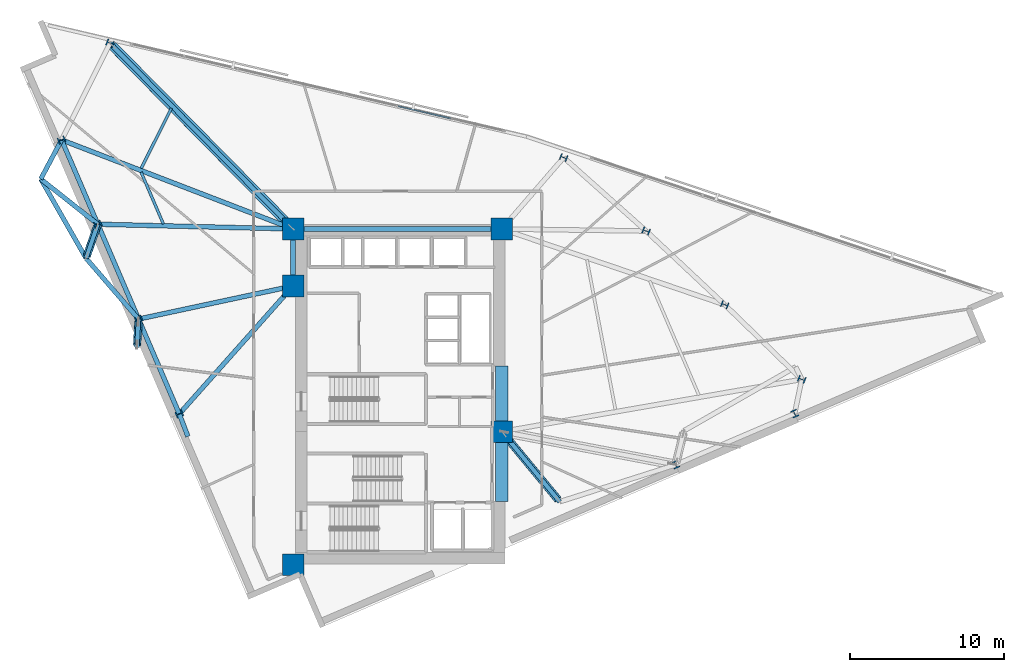
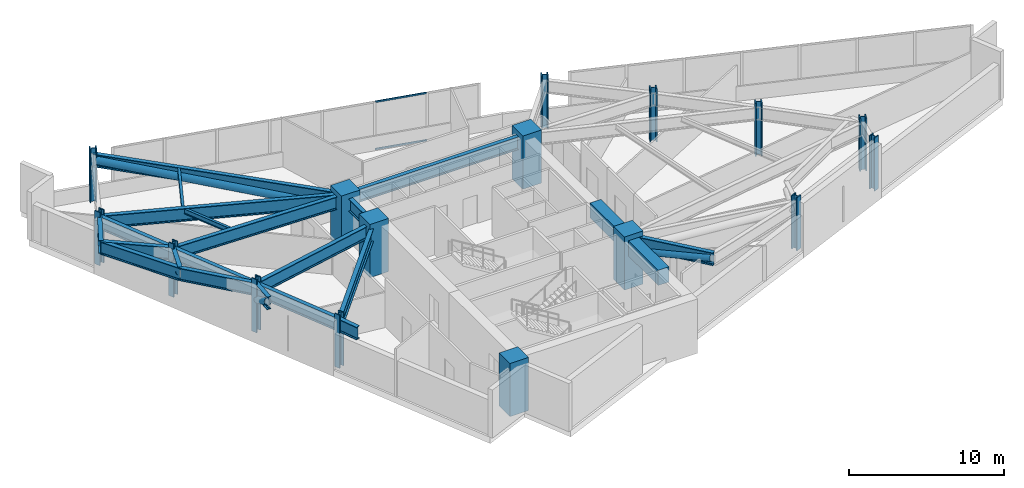
# One storey, part 1 of 14: 22 beams, 16 columns, 6 members, 1 element without a shape of its own.
"""IFC4 building model written with IfcOpenShell, lengths in metres."""

from ifc_helpers import new_model, si_unit, direction, frame, origin, origin_2d, place, context, subcontext, project, spatial, rectangle, hollow_rectangle, hollow_circle, i_section, extrude, material, material_profile, profile_set, type_object, element, aggregate, save


model = new_model("IFC4")

# Units and contexts
model_context = context("Model", 3, precision=1e-05, world=origin(), true_north=direction((0.0, 1.0)))
body_context = subcontext(model_context, "Body", "Model", "MODEL_VIEW")
ifc_project = project(units=[si_unit("LENGTHUNIT", "METRE"), si_unit("AREAUNIT", "SQUARE_METRE"), si_unit("VOLUMEUNIT", "CUBIC_METRE"), si_unit("PLANEANGLEUNIT", "RADIAN"), si_unit("MASSUNIT", "GRAM", prefix="KILO")], contexts=[model_context])

# Site, building, storey
site_placement = place(None, origin())
site = spatial("IfcSite", under=ifc_project, at=site_placement, CompositionType="ELEMENT")
building_placement = place(site_placement, origin())
building = spatial("IfcBuilding", under=site, at=building_placement, Name="Narakoshi Arena Tower", CompositionType="ELEMENT")
storey_placement = place(building_placement, frame((0.0, 0.0, 196.699951171875)))
storey = spatial("IfcBuildingStorey", under=building, at=storey_placement, Name="L53", CompositionType="ELEMENT", Elevation=196.699951171875)

# Columns
ifc_material_1 = material(Name="Concrete C60/75", Category="concrete")
ifc_material_profile_1 = material_profile(ifc_material_1, rectangle(XDim=1.39990234375, YDim=1.39990234375, at=origin_2d()), Name="RC1400x1400")
ifc_profile_set_1 = profile_set([ifc_material_profile_1], Name="Concrete C60/75")
column_type_1 = type_object("IfcColumnType", Name="COL-RC1400", PredefinedType="COLUMN", material=ifc_profile_set_1)
for number, where, z_axis, x_axis, name in (
    (1, (72.0, 34.699951171875, 0.0), (0.0, 0.0, 1.0), (1.0, 0.0, 0.0), "L53 Core Structural Column CC1"),
    (2, (85.550048828125, 43.35009765625, 0.0), (0.0, 0.0, 1.0), (1.0, 0.0, 0.0), "L53 Core Structural Column CC3"),
    (3, (72.0, 52.800048828125, 0.0), (0.0, 0.0, 1.0), (1.0, 0.0, 0.0), "L53 Core Structural Column CC4"),
    (4, (72.0, 56.5, 0.0), (0.0, 0.0, 1.0), (1.0, 0.0, 0.0), "L53 Core Structural Column CC5"),
    (5, (85.550048828125, 56.5, 0.0), (0.0, 0.0, 1.0), (1.0, 0.0, 0.0), "L53 Core Structural Column CC6"),
):
    element("IfcColumn", number, at=place(storey_placement, frame(where, z_axis=z_axis, x_axis=x_axis)), inside=storey, type_object=column_type_1, Name=name, PredefinedType="COLUMN", context=body_context, shape_type="SweptSolid", body=[
        extrude(rectangle(XDim=1.39990234375, YDim=1.39990234375, at=origin_2d()), origin(), (0.0, 0.0, 1.0), 4.199951171875),
    ])
ifc_material_2 = material(Name="Structural steel S460ML", Category="steel")
ifc_material_profile_2 = material_profile(ifc_material_2, i_section(OverallWidth=0.424072265625, OverallDepth=0.47412109375, WebThickness=0.047607421875, FlangeThickness=0.076904296875, FilletRadius=0.014892578125, at=origin_2d()), Name="HD400x634")
ifc_profile_set_2 = profile_set([ifc_material_profile_2], Name="Structural steel S460ML")
column_type_2 = type_object("IfcColumnType", Name="COL-STL634", PredefinedType="COLUMN", material=ifc_profile_set_2)
for number, where, z_axis, x_axis, name in (
    (6, (96.830078125, 41.2001953125, 0.0), (0.0, 0.0, 1.0), (0.918791210149, 0.394743856384, 0.0), "L53 Tower Perimeter Column TC02"),
    (7, (104.54931640625, 44.5166015625, 0.0), (0.0, 0.0, 1.0), (0.918791210149, 0.394743856384, 0.0), "L53 Tower Perimeter Column TC03"),
    (8, (105.010009765625, 46.73876953125, 0.0), (0.0, 0.0, 1.0), (0.37055743751, 0.928809552872, 0.0), "L53 Tower Perimeter Column TC05"),
    (9, (100.012939453125, 51.58544921875, 0.0), (0.0, 0.0, 1.0), (0.37055743751, 0.928809552872, 0.0), "L53 Tower Perimeter Column TC06"),
    (10, (94.914794921875, 56.36669921875, 0.0), (0.0, 0.0, 1.0), (0.37055743751, 0.928809552872, 0.0), "L53 Tower Perimeter Column TC07"),
    (11, (89.5615234375, 61.134765625, 0.0), (0.0, 0.0, 1.0), (0.37055743751, 0.928809552872, 0.0), "L53 Tower Perimeter Column TC08"),
    (12, (60.12158203125, 68.55126953125, 0.0), (0.0, 0.0, 1.0), (0.37055743751, 0.928809552872, 0.0), "L53 Tower Perimeter Column TC10"),
    (13, (56.9755859375, 62.278564453125, 0.0), (0.0, 0.0, 1.0), (-0.394743856384, 0.918791210149, 0.0), "L53 Tower Perimeter Column TC13"),
    (14, (59.326171875, 56.807373046875, 0.0), (0.0, 0.0, 1.0), (-0.394743856384, 0.918791210149, 0.0), "L53 Tower Perimeter Column TC14"),
    (15, (61.970458984375, 50.652587890625, 0.0), (0.0, 0.0, 1.0), (-0.394743856384, 0.918791210149, 0.0), "L53 Tower Perimeter Column TC15"),
    (16, (64.61474609375, 44.49755859375, 0.0), (0.0, 0.0, 1.0), (-0.394743856384, 0.918791210149, 0.0), "L53 Tower Perimeter Column TC16"),
):
    element("IfcColumn", number, at=place(storey_placement, frame(where, z_axis=z_axis, x_axis=x_axis)), inside=storey, type_object=column_type_2, Name=name, PredefinedType="COLUMN", context=body_context, shape_type="SweptSolid", body=[
        extrude(i_section(OverallWidth=0.424072265625, OverallDepth=0.47412109375, WebThickness=0.047607421875, FlangeThickness=0.076904296875, FilletRadius=0.014892578125, at=origin_2d()), origin(), (0.0, 0.0, 1.0), 4.199951171875),
    ])

# Beams
ifc_material_profile_3 = material_profile(ifc_material_1, rectangle(XDim=0.800048828125, YDim=1.199951171875, at=origin_2d()), Name="RCB800x1200")
ifc_profile_set_3 = profile_set([ifc_material_profile_3], Name="Concrete C60/75")
beam_type_1 = type_object("IfcBeamType", Name="BM-CPL-1200", PredefinedType="LINTEL", material=ifc_profile_set_3)
beam_1_placement = place(storey_placement, frame((85.550048828125, 38.800048828125, 3.199951171875), z_axis=(0.0, 1.0, 0.0), x_axis=(-1.0, 0.0, 0.0)))
element("IfcBeam", 17, at=beam_1_placement, inside=storey, type_object=beam_type_1, Name="L53 Core Seismic Coupling Beam 1", PredefinedType="LINTEL", context=body_context, shape_type="SweptSolid", body=[
    extrude(rectangle(XDim=0.800048828125, YDim=1.199951171875, at=origin_2d()), origin(), (0.0, 0.0, 1.0), 4.550048828125),
])
beam_2_placement = place(storey_placement, frame((85.550048828125, 43.35009765625, 3.199951171875), z_axis=(0.0, 1.0, 0.0), x_axis=(-1.0, 0.0, 0.0)))
element("IfcBeam", 18, at=beam_2_placement, inside=storey, type_object=beam_type_1, Name="L53 Core Seismic Coupling Beam 2", PredefinedType="LINTEL", context=body_context, shape_type="SweptSolid", body=[
    extrude(rectangle(XDim=0.800048828125, YDim=1.199951171875, at=origin_2d()), origin(), (0.0, 0.0, 1.0), 4.25),
])
ifc_material_3 = material(Name="Structural steel S355J2", Category="steel")
ifc_material_profile_4 = material_profile(ifc_material_3, i_section(OverallWidth=0.179931640625, OverallDepth=0.39990234375, WebThickness=0.008544921875, FlangeThickness=0.013427734375, FilletRadius=0.02099609375, at=origin_2d()), Name="IPE400")
ifc_profile_set_4 = profile_set([ifc_material_profile_4], Name="Structural steel S355J2")
beam_type_2 = type_object("IfcBeamType", Name="BM-SEC-400", PredefinedType="JOIST", material=ifc_profile_set_4)
beam_3_placement = place(storey_placement, frame((64.099853515625, 64.333251953125, 3.60009765625), z_axis=(-0.448355109233, -0.893855523015, 0.0), x_axis=(0.893855523015, -0.448355109233, 0.0)))
element("IfcBeam", 19, at=beam_3_placement, inside=storey, type_object=beam_type_2, Name="L53 Composite Secondary Floor Joist 03", PredefinedType="JOIST", context=body_context, shape_type="SweptSolid", body=[
    extrude(i_section(OverallWidth=0.179931640625, OverallDepth=0.39990234375, WebThickness=0.008544921875, FlangeThickness=0.013427734375, FilletRadius=0.02099609375, at=origin_2d()), origin(), (0.0, 0.0, 1.0), 4.361572265625),
])
beam_4_placement = place(storey_placement, frame((62.13720703125, 60.189697265625, 3.60009765625), z_axis=(0.394700077983, -0.918810017599, 0.0), x_axis=(0.918810017599, 0.394700077983, 0.0)))
element("IfcBeam", 20, at=beam_4_placement, inside=storey, type_object=beam_type_2, Name="L53 Composite Secondary Floor Joist 04", PredefinedType="JOIST", context=body_context, shape_type="SweptSolid", body=[
    extrude(i_section(OverallWidth=0.179931640625, OverallDepth=0.39990234375, WebThickness=0.008544921875, FlangeThickness=0.013427734375, FilletRadius=0.02099609375, at=origin_2d()), origin(), (0.0, 0.0, 1.0), 3.659912109375),
])
ifc_material_profile_5 = material_profile(ifc_material_2, i_section(OverallWidth=0.302001953125, OverallDepth=1.008056640625, WebThickness=0.02099609375, FlangeThickness=0.0400390625, FilletRadius=0.030029296875, at=origin_2d()), Name="HE1000M")
ifc_profile_set_5 = profile_set([ifc_material_profile_5], Name="Structural steel S460ML")
beam_type_3 = type_object("IfcBeamType", Name="BM-XFER-1000", PredefinedType="BEAM", material=ifc_profile_set_5)
beam_5_placement = place(storey_placement, frame((56.9755859375, 62.278564453125, 3.296142578125), z_axis=(0.394740539552, -0.918792635165, 0.0), x_axis=(0.918792635165, 0.394740539552, 0.0)))
element("IfcBeam", 21, at=beam_5_placement, inside=storey, type_object=beam_type_3, Name="L53 Perimeter Transfer Ring Girder 08", PredefinedType="BEAM", context=body_context, shape_type="SweptSolid", body=[
    extrude(i_section(OverallWidth=0.302001953125, OverallDepth=1.008056640625, WebThickness=0.02099609375, FlangeThickness=0.0400390625, FilletRadius=0.030029296875, at=origin_2d()), origin(), (0.0, 0.0, 1.0), 5.954833984375),
])
beam_6_placement = place(storey_placement, frame((59.326171875, 56.807373046875, 3.296142578125), z_axis=(0.394741679056, -0.9187921456, 0.0), x_axis=(0.9187921456, 0.394741679056, 0.0)))
element("IfcBeam", 22, at=beam_6_placement, inside=storey, type_object=beam_type_3, Name="L53 Perimeter Transfer Ring Girder 09", PredefinedType="BEAM", context=body_context, shape_type="SweptSolid", body=[
    extrude(i_section(OverallWidth=0.302001953125, OverallDepth=1.008056640625, WebThickness=0.02099609375, FlangeThickness=0.0400390625, FilletRadius=0.030029296875, at=origin_2d()), origin(), (0.0, 0.0, 1.0), 6.69873046875),
])
beam_7_placement = place(storey_placement, frame((61.970458984375, 50.652587890625, 3.296142578125), z_axis=(0.394728461185, -0.918797824296, 0.0), x_axis=(0.918797824296, 0.394728461185, 0.0)))
element("IfcBeam", 23, at=beam_7_placement, inside=storey, type_object=beam_type_3, Name="L53 Perimeter Transfer Ring Girder 10", PredefinedType="BEAM", context=body_context, shape_type="SweptSolid", body=[
    extrude(i_section(OverallWidth=0.302001953125, OverallDepth=1.008056640625, WebThickness=0.02099609375, FlangeThickness=0.0400390625, FilletRadius=0.030029296875, at=origin_2d()), origin(), (0.0, 0.0, 1.0), 6.698974609375),
])
beam_8_placement = place(storey_placement, frame((72.0, 52.800048828125, 3.296142578125), z_axis=(-0.977836885657, -0.209368156721, 0.0), x_axis=(0.209368156721, -0.977836885657, 0.0)))
element("IfcBeam", 24, at=beam_8_placement, inside=storey, type_object=beam_type_3, Name="L53 Lower Transfer Radial Girder 10", PredefinedType="BEAM", context=body_context, shape_type="SweptSolid", body=[
    extrude(i_section(OverallWidth=0.302001953125, OverallDepth=1.008056640625, WebThickness=0.02099609375, FlangeThickness=0.0400390625, FilletRadius=0.030029296875, at=origin_2d()), origin(), (0.0, 0.0, 1.0), 10.2568359375),
])
beam_9_placement = place(storey_placement, frame((72.0, 52.800048828125, 3.296142578125), z_axis=(-0.664628360587, -0.747174104412, 0.0), x_axis=(0.747174104412, -0.664628360587, 0.0)))
element("IfcBeam", 25, at=beam_9_placement, inside=storey, type_object=beam_type_3, Name="L53 Lower Transfer Radial Girder 11", PredefinedType="BEAM", context=body_context, shape_type="SweptSolid", body=[
    extrude(i_section(OverallWidth=0.302001953125, OverallDepth=1.008056640625, WebThickness=0.02099609375, FlangeThickness=0.0400390625, FilletRadius=0.030029296875, at=origin_2d()), origin(), (0.0, 0.0, 1.0), 11.11181640625),
])
beam_10_placement = place(storey_placement, frame((85.550048828125, 43.35009765625, 3.296142578125), z_axis=(0.63669116064, -0.771118905204, 0.0), x_axis=(0.771118905204, 0.63669116064, 0.0)))
element("IfcBeam", 26, at=beam_10_placement, inside=storey, type_object=beam_type_3, Name="L53 Block-Turn Transfer Node Girder 01-1", PredefinedType="BEAM", context=body_context, shape_type="SweptSolid", body=[
    extrude(i_section(OverallWidth=0.302001953125, OverallDepth=1.008056640625, WebThickness=0.02099609375, FlangeThickness=0.0400390625, FilletRadius=0.030029296875, at=origin_2d()), origin(), (0.0, 0.0, 1.0), 5.902587890625),
])
beam_11_placement = place(storey_placement, frame((56.9755859375, 62.278564453125, 3.296142578125), z_axis=(-0.470001745018, -0.882665485719, 0.0), x_axis=(0.882665485719, -0.470001745018, 0.0)))
element("IfcBeam", 27, at=beam_11_placement, inside=storey, type_object=beam_type_3, Name="L53 Block-Turn Transfer Node Girder 09-1", PredefinedType="BEAM", context=body_context, shape_type="SweptSolid", body=[
    extrude(i_section(OverallWidth=0.302001953125, OverallDepth=1.008056640625, WebThickness=0.02099609375, FlangeThickness=0.0400390625, FilletRadius=0.030029296875, at=origin_2d()), origin(), (0.0, 0.0, 1.0), 2.8740234375),
])
beam_12_placement = place(storey_placement, frame((59.326171875, 56.807373046875, 3.296142578125), z_axis=(-0.783629558106, 0.621228392512, 0.0), x_axis=(-0.621228392512, -0.783629558106, 0.0)))
element("IfcBeam", 28, at=beam_12_placement, inside=storey, type_object=beam_type_3, Name="L53 Block-Turn Transfer Node Girder 09-2", PredefinedType="BEAM", context=body_context, shape_type="SweptSolid", body=[
    extrude(i_section(OverallWidth=0.302001953125, OverallDepth=1.008056640625, WebThickness=0.02099609375, FlangeThickness=0.0400390625, FilletRadius=0.030029296875, at=origin_2d()), origin(), (0.0, 0.0, 1.0), 4.723388671875),
])
beam_13_placement = place(storey_placement, frame((59.326171875, 56.807373046875, 3.296142578125), z_axis=(-0.326999219874, -0.945024608252, 0.0), x_axis=(0.945024608252, -0.326999219874, 0.0)))
element("IfcBeam", 29, at=beam_13_placement, inside=storey, type_object=beam_type_3, Name="L53 Block-Turn Transfer Node Girder 10-1", PredefinedType="BEAM", context=body_context, shape_type="SweptSolid", body=[
    extrude(i_section(OverallWidth=0.302001953125, OverallDepth=1.008056640625, WebThickness=0.02099609375, FlangeThickness=0.0400390625, FilletRadius=0.030029296875, at=origin_2d()), origin(), (0.0, 0.0, 1.0), 2.334716796875),
])
beam_14_placement = place(storey_placement, frame((61.970458984375, 50.652587890625, 3.296142578125), z_axis=(-0.653362686743, 0.757045044612, 0.0), x_axis=(-0.757045044612, -0.653362686743, 0.0)))
element("IfcBeam", 30, at=beam_14_placement, inside=storey, type_object=beam_type_3, Name="L53 Block-Turn Transfer Node Girder 10-2", PredefinedType="BEAM", context=body_context, shape_type="SweptSolid", body=[
    extrude(i_section(OverallWidth=0.302001953125, OverallDepth=1.008056640625, WebThickness=0.02099609375, FlangeThickness=0.0400390625, FilletRadius=0.030029296875, at=origin_2d()), origin(), (0.0, 0.0, 1.0), 5.215576171875),
])
beam_15_placement = place(storey_placement, frame((61.970458984375, 50.652587890625, 3.296142578125), z_axis=(-0.055668696597, -0.998449295768, 0.0), x_axis=(0.998449295768, -0.055668696597, 0.0)))
element("IfcBeam", 31, at=beam_15_placement, inside=storey, type_object=beam_type_3, Name="L53 Block-Turn Transfer Node Girder 11-1", PredefinedType="BEAM", context=body_context, shape_type="SweptSolid", body=[
    extrude(i_section(OverallWidth=0.302001953125, OverallDepth=1.008056640625, WebThickness=0.02099609375, FlangeThickness=0.0400390625, FilletRadius=0.030029296875, at=origin_2d()), origin(), (0.0, 0.0, 1.0), 1.837646484375),
])
beam_16_placement = place(storey_placement, frame((64.61474609375, 44.49755859375, 3.296142578125), z_axis=(0.356721357895, -0.934210828893, 0.0), x_axis=(0.934210828893, 0.356721357895, 0.0)))
element("IfcBeam", 32, at=beam_16_placement, inside=storey, type_object=beam_type_3, Name="L53 Block-Turn Transfer Node Girder 12-1", PredefinedType="BEAM", context=body_context, shape_type="SweptSolid", body=[
    extrude(i_section(OverallWidth=0.302001953125, OverallDepth=1.008056640625, WebThickness=0.02099609375, FlangeThickness=0.0400390625, FilletRadius=0.030029296875, at=origin_2d()), origin(), (0.0, 0.0, 1.0), 1.56591796875),
])
beam_17_placement = place(storey_placement, frame((55.624755859375, 59.74169921875, 3.296142578125), z_axis=(0.496201104161, -0.868207615856, 0.0), x_axis=(0.868207615856, 0.496201104161, 0.0)))
element("IfcBeam", 33, at=beam_17_placement, inside=storey, type_object=beam_type_3, Name="L53 Upper-Block Transfer Ring Girder 09", PredefinedType="BEAM", context=body_context, shape_type="SweptSolid", body=[
    extrude(i_section(OverallWidth=0.302001953125, OverallDepth=1.008056640625, WebThickness=0.02099609375, FlangeThickness=0.0400390625, FilletRadius=0.030029296875, at=origin_2d()), origin(), (0.0, 0.0, 1.0), 5.9208984375),
])
beam_18_placement = place(storey_placement, frame((72.0, 56.5, 3.296142578125), z_axis=(-0.701980816252, 0.71219585341, 0.0), x_axis=(-0.71219585341, -0.701980816252, 0.0)))
element("IfcBeam", 34, at=beam_18_placement, inside=storey, type_object=beam_type_3, Name="L53 Radial Primary Floor Girder 07", PredefinedType="BEAM", context=body_context, shape_type="SweptSolid", body=[
    extrude(i_section(OverallWidth=0.302001953125, OverallDepth=1.008056640625, WebThickness=0.02099609375, FlangeThickness=0.0400390625, FilletRadius=0.030029296875, at=origin_2d()), origin(), (0.0, 0.0, 1.0), 16.92138671875),
])
beam_19_placement = place(storey_placement, frame((72.0, 56.5, 3.296142578125), z_axis=(-0.933346778866, 0.35897603037, 0.0), x_axis=(-0.35897603037, -0.933346778866, 0.0)))
element("IfcBeam", 35, at=beam_19_placement, inside=storey, type_object=beam_type_3, Name="L53 Radial Primary Floor Girder 08", PredefinedType="BEAM", context=body_context, shape_type="SweptSolid", body=[
    extrude(i_section(OverallWidth=0.302001953125, OverallDepth=1.008056640625, WebThickness=0.02099609375, FlangeThickness=0.0400390625, FilletRadius=0.030029296875, at=origin_2d()), origin(), (0.0, 0.0, 1.0), 16.097412109375),
])
beam_20_placement = place(storey_placement, frame((72.0, 56.5, 3.296142578125), z_axis=(-0.999706035824, 0.024245451901, 0.0), x_axis=(-0.024245451901, -0.999706035824, 0.0)))
element("IfcBeam", 36, at=beam_20_placement, inside=storey, type_object=beam_type_3, Name="L53 Radial Primary Floor Girder 09", PredefinedType="BEAM", context=body_context, shape_type="SweptSolid", body=[
    extrude(i_section(OverallWidth=0.302001953125, OverallDepth=1.008056640625, WebThickness=0.02099609375, FlangeThickness=0.0400390625, FilletRadius=0.030029296875, at=origin_2d()), origin(), (0.0, 0.0, 1.0), 12.677490234375),
])
beam_21_placement = place(storey_placement, frame((72.0, 52.800048828125, 3.296142578125), z_axis=(0.0, 1.0, 0.0), x_axis=(-1.0, 0.0, 0.0)))
element("IfcBeam", 37, at=beam_21_placement, inside=storey, type_object=beam_type_3, Name="L53 Core Perimeter Frame Beam CC4-CC5", PredefinedType="BEAM", context=body_context, shape_type="SweptSolid", body=[
    extrude(i_section(OverallWidth=0.302001953125, OverallDepth=1.008056640625, WebThickness=0.02099609375, FlangeThickness=0.0400390625, FilletRadius=0.030029296875, at=origin_2d()), origin(), (0.0, 0.0, 1.0), 3.699951171875),
])
beam_22_placement = place(storey_placement, frame((72.0, 56.5, 3.296142578125), z_axis=(1.0, 0.0, 0.0), x_axis=(0.0, 1.0, 0.0)))
element("IfcBeam", 38, at=beam_22_placement, inside=storey, type_object=beam_type_3, Name="L53 Core Perimeter Frame Beam CC5-CC6", PredefinedType="BEAM", context=body_context, shape_type="SweptSolid", body=[
    extrude(i_section(OverallWidth=0.302001953125, OverallDepth=1.008056640625, WebThickness=0.02099609375, FlangeThickness=0.0400390625, FilletRadius=0.030029296875, at=origin_2d()), origin(), (0.0, 0.0, 1.0), 13.550048828125),
])

# Members
ifc_material_profile_6 = material_profile(ifc_material_2, hollow_circle(Radius=0.25390625, WallThickness=0.02001953125, at=origin_2d()), Name="CHS508x20")
ifc_profile_set_6 = profile_set([ifc_material_profile_6], Name="Structural steel S460ML")
member_type_1 = type_object("IfcMemberType", Name="MEM-BLT-508", PredefinedType="BRACE", material=ifc_profile_set_6)
member_1_placement = place(storey_placement, frame((85.66455078125, 43.211181640625, 2.550048828125), z_axis=(0.631015246999, -0.764212114204, 0.133415151157), x_axis=(0.771105614055, 0.636707257672, 0.0)))
element("IfcMember", 39, at=member_1_placement, inside=storey, type_object=member_type_1, Name="L53 Perimeter Belt-Truss Diagonal 01", PredefinedType="BRACE", context=body_context, shape_type="SweptSolid", body=[
    extrude(hollow_circle(Radius=0.25390625, WallThickness=0.02001953125, at=origin_2d()), origin(), (0.0, 0.0, 1.0), 5.59228515625),
])
member_2_placement = place(storey_placement, frame((59.267333984375, 56.63720703125, 2.550048828125), z_axis=(-0.305896073449, -0.884033869734, 0.35342850679), x_axis=(0.945024282731, -0.327000160626, 0.0)))
element("IfcMember", 40, at=member_2_placement, inside=storey, type_object=member_type_1, Name="L53 Perimeter Belt-Truss Diagonal 10", PredefinedType="BRACE", context=body_context, shape_type="SweptSolid", body=[
    extrude(hollow_circle(Radius=0.25390625, WallThickness=0.02001953125, at=origin_2d()), origin(), (0.0, 0.0, 1.0), 2.111083984375),
])
member_3_placement = place(storey_placement, frame((61.96044921875, 50.472900390625, 2.550048828125), z_axis=(-0.049703850245, -0.891277053495, 0.450726903108), x_axis=(0.998448638247, -0.055680488348, 0.0)))
element("IfcMember", 41, at=member_3_placement, inside=storey, type_object=member_type_1, Name="L53 Perimeter Belt-Truss Diagonal 11", PredefinedType="BRACE", context=body_context, shape_type="SweptSolid", body=[
    extrude(hollow_circle(Radius=0.25390625, WallThickness=0.02001953125, at=origin_2d()), origin(), (0.0, 0.0, 1.0), 1.6552734375),
])
ifc_material_profile_7 = material_profile(ifc_material_2, hollow_circle(Radius=0.304931640625, WallThickness=0.02490234375, at=origin_2d()), Name="CHS610x25")
ifc_profile_set_7 = profile_set([ifc_material_profile_7], Name="Structural steel S460ML")
member_type_2 = type_object("IfcMemberType", Name="MEM-OUT-610", PredefinedType="BRACE", material=ifc_profile_set_7)
member_4_placement = place(storey_placement, frame((71.894775390625, 56.606689453125, 2.60009765625), z_axis=(-0.701357346996, 0.711570430448, 0.042016595845), x_axis=(-0.712199364508, -0.701977254043, 0.0)))
element("IfcMember", 42, at=member_4_placement, inside=storey, type_object=member_type_2, Name="L53 Core-to-Perimeter Outrigger Truss Diagonal 02", PredefinedType="BRACE", context=body_context, shape_type="SweptSolid", body=[
    extrude(hollow_circle(Radius=0.304931640625, WallThickness=0.02490234375, at=origin_2d()), origin(), (0.0, 0.0, 1.0), 16.56591796875),
])

# Curtain wall, members
ifc_material_4 = material(Name="Anodised bronze aluminium 6063-T6", Category="aluminium")
curtain_wall_type = type_object("IfcCurtainWallType", Name="CW-HYP-MID", PredefinedType="NOTDEFINED", material=ifc_material_4)
curtain_wall_placement = place(storey_placement, origin())
curtain_wall = element("IfcCurtainWall", 43, at=curtain_wall_placement, inside=storey, type_object=curtain_wall_type, Name="L53 Folded Hypotenuse Curtain Wall 2-1", PredefinedType="NOTDEFINED")
ifc_material_profile_8 = material_profile(ifc_material_4, hollow_rectangle(XDim=0.06494140625, YDim=0.1298828125, WallThickness=0.00390625, OuterFilletRadius=0.0048828125, at=origin_2d()), Name="TRN130x65x4")
ifc_profile_set_8 = profile_set([ifc_material_profile_8], Name="Anodised bronze aluminium 6063-T6")
member_type_3 = type_object("IfcMemberType", Name="MEM-TRN-130", PredefinedType="USERDEFINED", material=ifc_profile_set_8)
member_5_placement = place(storey_placement, frame((82.2158203125, 63.675048828125, 0.032470703125), z_axis=(-0.973945687806, 0.226781386372, 0.0), x_axis=(-0.226781386372, -0.973945687806, 0.0)))
member_5 = element("IfcMember", 44, at=member_5_placement, type_object=member_type_3, Name="CW-02 transom 2.1", ObjectType="TRANSOM", PredefinedType="USERDEFINED", context=body_context, shape_type="SweptSolid", body=[
    extrude(hollow_rectangle(XDim=0.06494140625, YDim=0.1298828125, WallThickness=0.00390625, OuterFilletRadius=0.0048828125, at=origin_2d()), origin(), (0.0, 0.0, 1.0), 3.478271484375),
])
member_6_placement = place(storey_placement, frame((82.2158203125, 63.675048828125, 3.767578125), z_axis=(-0.973945687806, 0.226781386372, 0.0), x_axis=(-0.226781386372, -0.973945687806, 0.0)))
member_6 = element("IfcMember", 45, at=member_6_placement, type_object=member_type_3, Name="CW-02 transom 2.2", ObjectType="TRANSOM", PredefinedType="USERDEFINED", context=body_context, shape_type="SweptSolid", body=[
    extrude(hollow_rectangle(XDim=0.06494140625, YDim=0.1298828125, WallThickness=0.00390625, OuterFilletRadius=0.0048828125, at=origin_2d()), origin(), (0.0, 0.0, 1.0), 3.478271484375),
])
aggregate(curtain_wall, [member_5, member_6])

save(model, "model.ifc")
